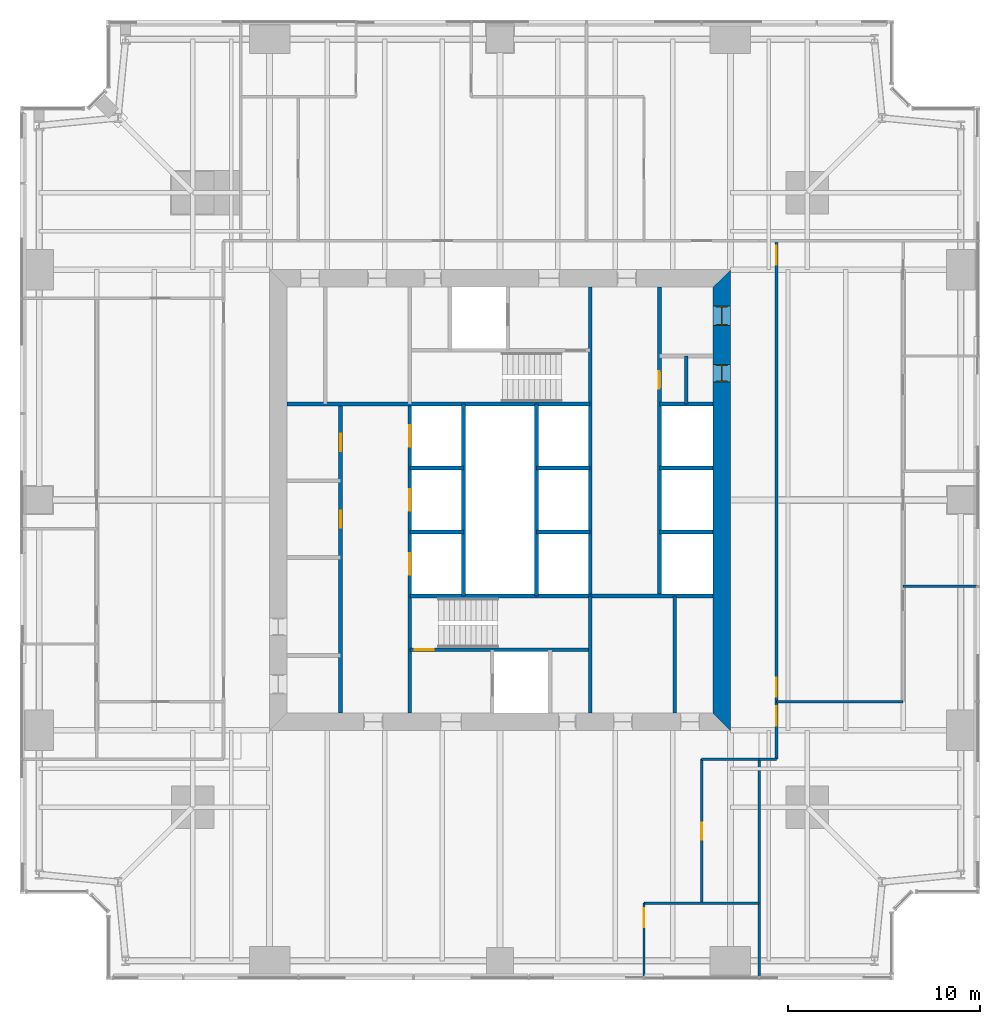
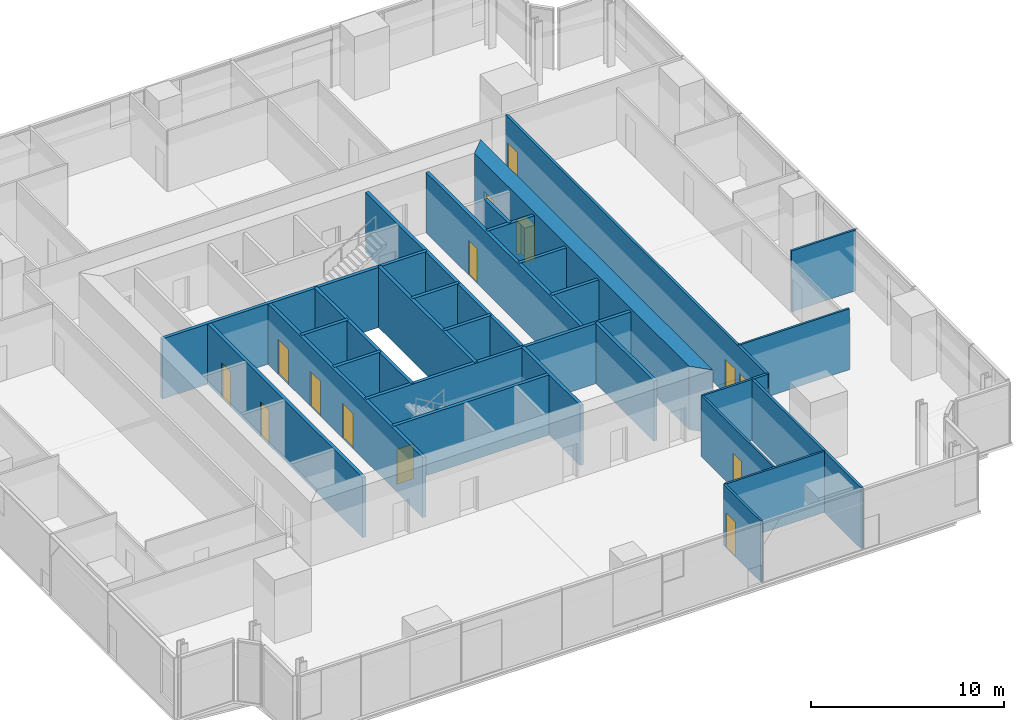
# One storey, part 10 of 14: 29 walls, 14 doors, 14 openings.
"""IFC4 building model written with IfcOpenShell, lengths in metres."""

from ifc_helpers import new_model, si_unit, direction, frame, frame_2d, origin, place, context, subcontext, project, spatial, polyline, rectangle, outline, extrude, material, layer, layer_set, type_object, element, fill, save


model = new_model("IFC4")

# Units and contexts
model_context = context("Model", 3, precision=1e-05, world=origin(), true_north=direction((0.0, 1.0)))
body_context = subcontext(model_context, "Body", "Model", "MODEL_VIEW")
ifc_project = project(units=[si_unit("LENGTHUNIT", "METRE"), si_unit("AREAUNIT", "SQUARE_METRE"), si_unit("VOLUMEUNIT", "CUBIC_METRE"), si_unit("PLANEANGLEUNIT", "RADIAN"), si_unit("MASSUNIT", "GRAM", prefix="KILO")], contexts=[model_context])

# Site, building, storey
site_placement = place(None, origin())
site = spatial("IfcSite", under=ifc_project, at=site_placement, CompositionType="ELEMENT")
building_placement = place(site_placement, origin())
building = spatial("IfcBuilding", under=site, at=building_placement, Name="Fenwick Lantern Interchange", CompositionType="ELEMENT")
storey_placement = place(building_placement, frame((0.0, 0.0, 118.39990234375)))
storey = spatial("IfcBuildingStorey", under=building, at=storey_placement, Name="L27", CompositionType="ELEMENT", Elevation=118.39990234375)

# Wall, openings, doors
ifc_material_1 = material(Name="Concrete masonry ASTM C90 Grade N", Category="masonry")
ifc_layer_1 = layer(ifc_material_1, 0.199951171875)
ifc_layer_set_1 = layer_set([ifc_layer_1], Name="Concrete masonry ASTM C90 Grade N")
wall_type_1 = type_object("IfcWallType", Name="CORE PARTITION 200", PredefinedType="PARTITIONING", material=ifc_layer_set_1)
wall_1_placement = place(storey_placement, frame((16.699951171875, 13.89990234375, 0.0), z_axis=(0.0, 0.0, 1.0), x_axis=(0.0, 1.0, 0.0)))
wall_1 = element("IfcWall", 1, at=wall_1_placement, inside=storey, type_object=wall_type_1, Name="L27/W/CORES/a", PredefinedType="PARTITIONING", context=body_context, shape_type="SweptSolid", body=[
    extrude(rectangle(XDim=16.10009765625, YDim=0.199951171875, at=frame_2d((8.050048828125, 0.0))), origin(), (0.0, 0.0, 1.0), 3.800048828125),
])
opening_1_placement = place(wall_1_placement, frame((9.64990234375, 0.0, 0.0)))
opening_1 = element("IfcOpeningElement", 2, at=opening_1_placement, cuts=wall_1, Name="Opening L27-D009", PredefinedType="OPENING", context=body_context, shape_type="SweptSolid", body=[
    extrude(rectangle(XDim=0.89990234375, YDim=2.199951171875, at=frame_2d((0.449951171875, 1.10009765625))), frame((0.0, 0.10986328125, 0.0), z_axis=(0.0, -1.0, 0.0), x_axis=(1.0, 0.0, 0.0)), (0.0, 0.0, 1.0), 0.219970703125),
])
opening_2_placement = place(wall_1_placement, frame((13.64990234375, 0.0, 0.0)))
opening_2 = element("IfcOpeningElement", 3, at=opening_2_placement, cuts=wall_1, Name="Opening L27-D010", PredefinedType="OPENING", context=body_context, shape_type="SweptSolid", body=[
    extrude(rectangle(XDim=0.89990234375, YDim=2.199951171875, at=frame_2d((0.449951171875, 1.10009765625))), frame((0.0, 0.10986328125, 0.0), z_axis=(0.0, -1.0, 0.0), x_axis=(1.0, 0.0, 0.0)), (0.0, 0.0, 1.0), 0.219970703125),
])
ifc_material_2 = material(Name="Steel door and frame", Category="steel")
door_type_1 = type_object("IfcDoorType", Name="SERVICE DOOR 900 X 2200", OperationType="SINGLE_SWING_LEFT", PredefinedType="DOOR", material=ifc_material_2)
door_1_placement = place(opening_1_placement, origin())
door_1 = element("IfcDoor", 4, at=door_1_placement, inside=storey, type_object=door_type_1, Name="Service door", OperationType="SINGLE_SWING_LEFT", OverallHeight=2.199951171875, OverallWidth=0.89990234375, PredefinedType="DOOR", context=body_context, shape_type="SweptSolid", body=[
    extrude(rectangle(XDim=0.89990234375, YDim=2.199951171875, at=frame_2d((0.449951171875, 1.10009765625))), frame((0.0, 0.02490234375, 0.0), z_axis=(0.0, -1.0, 0.0), x_axis=(1.0, 0.0, 0.0)), (0.0, 0.0, 1.0), 0.050048828125),
])
fill(opening_1, door_1)
door_2_placement = place(opening_2_placement, origin())
door_2 = element("IfcDoor", 5, at=door_2_placement, inside=storey, type_object=door_type_1, Name="Service door", OperationType="SINGLE_SWING_LEFT", OverallHeight=2.199951171875, OverallWidth=0.89990234375, PredefinedType="DOOR", context=body_context, shape_type="SweptSolid", body=[
    extrude(rectangle(XDim=0.89990234375, YDim=2.199951171875, at=frame_2d((0.449951171875, 1.10009765625))), frame((0.0, 0.02490234375, 0.0), z_axis=(0.0, -1.0, 0.0), x_axis=(1.0, 0.0, 0.0)), (0.0, 0.0, 1.0), 0.050048828125),
])
fill(opening_2, door_2)

# Walls
for number, where, z_axis, x_axis, name in (
    (6, (20.300048828125, 23.333251953125, 0.0), (0.0, 0.0, 1.0), (1.0, 0.0, 0.0), "L27/W/CORES/e1"),
    (7, (20.300048828125, 26.666748046875, 0.0), (0.0, 0.0, 1.0), (1.0, 0.0, 0.0), "L27/W/CORES/e2"),
):
    element("IfcWall", number, at=place(storey_placement, frame(where, z_axis=z_axis, x_axis=x_axis)), inside=storey, type_object=wall_type_1, Name=name, PredefinedType="PARTITIONING", context=body_context, shape_type="SweptSolid", body=[
        extrude(rectangle(XDim=2.800048828125, YDim=0.199951171875, at=frame_2d((1.39990234375, 0.0))), origin(), (0.0, 0.0, 1.0), 3.800048828125),
    ])
wall_2_placement = place(storey_placement, frame((23.10009765625, 20.0, 0.0), z_axis=(0.0, 0.0, 1.0), x_axis=(0.0, 1.0, 0.0)))
element("IfcWall", 8, at=wall_2_placement, inside=storey, type_object=wall_type_1, Name="L27/W/CORES/e3", PredefinedType="PARTITIONING", context=body_context, shape_type="SweptSolid", body=[
    extrude(rectangle(XDim=10.0, YDim=0.199951171875, at=frame_2d((5.0, 0.0))), origin(), (0.0, 0.0, 1.0), 3.800048828125),
])
wall_3_placement = place(storey_placement, frame((34.10009765625, 13.89990234375, 0.0), z_axis=(0.0, 0.0, 1.0), x_axis=(0.0, 1.0, 0.0)))
element("IfcWall", 9, at=wall_3_placement, inside=storey, type_object=wall_type_1, Name="L27/W/CORES/i2", PredefinedType="PARTITIONING", context=body_context, shape_type="SweptSolid", body=[
    extrude(rectangle(XDim=6.10009765625, YDim=0.199951171875, at=frame_2d((3.050048828125, 0.0))), origin(), (0.0, 0.0, 1.0), 3.800048828125),
])

# Wall, opening, door
wall_4_placement = place(storey_placement, frame((33.300048828125, 36.10009765625, 0.0), z_axis=(0.0, 0.0, 1.0), x_axis=(0.0, -1.0, 0.0)))
wall_4 = element("IfcWall", 10, at=wall_4_placement, inside=storey, type_object=wall_type_1, Name="L27/W/COREN/a", PredefinedType="PARTITIONING", context=body_context, shape_type="SweptSolid", body=[
    extrude(rectangle(XDim=16.10009765625, YDim=0.199951171875, at=frame_2d((8.050048828125, 0.0))), origin(), (0.0, 0.0, 1.0), 3.800048828125),
])
opening_3_placement = place(wall_4_placement, frame((4.39990234375, 0.0, 0.0)))
opening_3 = element("IfcOpeningElement", 11, at=opening_3_placement, cuts=wall_4, Name="Opening L27-D018", PredefinedType="OPENING", context=body_context, shape_type="SweptSolid", body=[
    extrude(rectangle(XDim=0.89990234375, YDim=2.199951171875, at=frame_2d((0.449951171875, 1.10009765625))), frame((0.0, 0.10986328125, 0.0), z_axis=(0.0, -1.0, 0.0), x_axis=(1.0, 0.0, 0.0)), (0.0, 0.0, 1.0), 0.219970703125),
])
door_3_placement = place(opening_3_placement, origin())
door_3 = element("IfcDoor", 12, at=door_3_placement, inside=storey, type_object=door_type_1, Name="Service door", OperationType="SINGLE_SWING_LEFT", OverallHeight=2.199951171875, OverallWidth=0.89990234375, PredefinedType="DOOR", context=body_context, shape_type="SweptSolid", body=[
    extrude(rectangle(XDim=0.89990234375, YDim=2.199951171875, at=frame_2d((0.449951171875, 1.10009765625))), frame((0.0, 0.02490234375, 0.0), z_axis=(0.0, -1.0, 0.0), x_axis=(1.0, 0.0, 0.0)), (0.0, 0.0, 1.0), 0.050048828125),
])
fill(opening_3, door_3)

# Walls
for number, where, z_axis, x_axis, name in (
    (13, (36.10009765625, 30.0, 0.0), (0.0, 0.0, 1.0), (-1.0, 0.0, 0.0), "L27/W/COREN/c2"),
    (14, (36.10009765625, 26.666748046875, 0.0), (0.0, 0.0, 1.0), (-1.0, 0.0, 0.0), "L27/W/COREN/d1"),
    (15, (36.10009765625, 23.333251953125, 0.0), (0.0, 0.0, 1.0), (-1.0, 0.0, 0.0), "L27/W/COREN/d2"),
    (16, (29.699951171875, 26.666748046875, 0.0), (0.0, 0.0, 1.0), (-1.0, 0.0, 0.0), "L27/W/COREN/e1"),
    (17, (29.699951171875, 23.333251953125, 0.0), (0.0, 0.0, 1.0), (-1.0, 0.0, 0.0), "L27/W/COREN/e2"),
):
    element("IfcWall", number, at=place(storey_placement, frame(where, z_axis=z_axis, x_axis=x_axis)), inside=storey, type_object=wall_type_1, Name=name, PredefinedType="PARTITIONING", context=body_context, shape_type="SweptSolid", body=[
        extrude(rectangle(XDim=2.800048828125, YDim=0.199951171875, at=frame_2d((1.39990234375, 0.0))), origin(), (0.0, 0.0, 1.0), 3.800048828125),
    ])
wall_5_placement = place(storey_placement, frame((26.89990234375, 30.0, 0.0), z_axis=(0.0, 0.0, 1.0), x_axis=(0.0, -1.0, 0.0)))
element("IfcWall", 18, at=wall_5_placement, inside=storey, type_object=wall_type_1, Name="L27/W/COREN/e3", PredefinedType="PARTITIONING", context=body_context, shape_type="SweptSolid", body=[
    extrude(rectangle(XDim=10.0, YDim=0.199951171875, at=frame_2d((5.0, 0.0))), origin(), (0.0, 0.0, 1.0), 3.800048828125),
])
wall_6_placement = place(storey_placement, frame((34.699951171875, 32.5, 0.0), z_axis=(0.0, 0.0, 1.0), x_axis=(0.0, -1.0, 0.0)))
element("IfcWall", 19, at=wall_6_placement, inside=storey, type_object=wall_type_1, Name="L27/W/COREN/px", PredefinedType="PARTITIONING", context=body_context, shape_type="SweptSolid", body=[
    extrude(rectangle(XDim=2.5, YDim=0.199951171875, at=frame_2d((1.25, 0.0))), origin(), (0.0, 0.0, 1.0), 3.800048828125),
])

# Wall, openings, doors
ifc_material_3 = material(Name="Concrete f'c 70 MPa", Category="concrete")
ifc_layer_2 = layer(ifc_material_3, 0.89990234375)
ifc_layer_set_2 = layer_set([ifc_layer_2], Name="CORE WALL 900")
wall_type_2 = type_object("IfcWallType", Name="CORE WALL 900", PredefinedType="SHEAR", material=ifc_layer_set_2)
wall_7_placement = place(storey_placement, frame((36.550048828125, 13.89990234375, 0.0), z_axis=(0.0, 0.0, 1.0), x_axis=(0.0, 1.0, 0.0)))
wall_7 = element("IfcWall", 20, at=wall_7_placement, inside=storey, type_object=wall_type_2, Name="L27/CORE/E", PredefinedType="SHEAR", context=body_context, shape_type="SweptSolid", body=[
    extrude(outline(polyline([(-0.89990234375, -0.449951171875), (23.10009765625, -0.449951171875), (22.199951171875, 0.449951171875), (0.0, 0.449951171875), (-0.89990234375, -0.449951171875)])), origin(), (0.0, 0.0, 1.0), 4.0),
])
opening_4_placement = place(wall_7_placement, frame((20.199951171875, 0.0, 0.0)))
opening_4 = element("IfcOpeningElement", 21, at=opening_4_placement, cuts=wall_7, Name="Opening L27-D017", PredefinedType="OPENING", context=body_context, shape_type="SweptSolid", body=[
    extrude(rectangle(XDim=1.0, YDim=2.199951171875, at=frame_2d((0.5, 1.10009765625))), frame((0.0, 0.4599609375, 0.0), z_axis=(0.0, -1.0, 0.0), x_axis=(1.0, 0.0, 0.0)), (0.0, 0.0, 1.0), 0.919921875),
])
opening_5_placement = place(wall_7_placement, frame((17.25, 0.0, 0.0)))
opening_5 = element("IfcOpeningElement", 22, at=opening_5_placement, cuts=wall_7, Name="Opening L27-D019", PredefinedType="OPENING", context=body_context, shape_type="SweptSolid", body=[
    extrude(rectangle(XDim=0.89990234375, YDim=2.199951171875, at=frame_2d((0.449951171875, 1.10009765625))), frame((0.0, 0.4599609375, 0.0), z_axis=(0.0, -1.0, 0.0), x_axis=(1.0, 0.0, 0.0)), (0.0, 0.0, 1.0), 0.919921875),
])
door_4_placement = place(opening_5_placement, origin())
door_4 = element("IfcDoor", 23, at=door_4_placement, inside=storey, type_object=door_type_1, Name="Service door", OperationType="SINGLE_SWING_RIGHT", OverallHeight=2.199951171875, OverallWidth=0.89990234375, PredefinedType="DOOR", context=body_context, shape_type="SweptSolid", body=[
    extrude(rectangle(XDim=0.89990234375, YDim=2.199951171875, at=frame_2d((0.449951171875, 1.10009765625))), frame((0.0, 0.02490234375, 0.0), z_axis=(0.0, -1.0, 0.0), x_axis=(1.0, 0.0, 0.0)), (0.0, 0.0, 1.0), 0.050048828125),
    extrude(outline(polyline([(0.0, 0.0), (0.0400390625, 0.0), (0.0400390625, 2.159912109375), (0.85986328125, 2.159912109375), (0.85986328125, 0.0), (0.89990234375, 0.0), (0.89990234375, 2.199951171875), (0.0, 2.199951171875), (0.0, 0.0)])), frame((0.0, 0.300048828125, 0.0), z_axis=(0.0, -1.0, 0.0), x_axis=(1.0, 0.0, 0.0)), (0.0, 0.0, 1.0), 0.60009765625),
])
fill(opening_5, door_4)
ifc_material_4 = material(Name="Hardwood door and steel frame", Category="steel")
door_type_2 = type_object("IfcDoorType", Name="WC DOOR 1000 X 2200", OperationType="SINGLE_SWING_LEFT", PredefinedType="DOOR", material=ifc_material_4)
door_5_placement = place(opening_4_placement, origin())
door_5 = element("IfcDoor", 24, at=door_5_placement, inside=storey, type_object=door_type_2, Name="Wc door", OperationType="SINGLE_SWING_RIGHT", OverallHeight=2.199951171875, OverallWidth=1.0, PredefinedType="DOOR", context=body_context, shape_type="SweptSolid", body=[
    extrude(rectangle(XDim=1.0, YDim=2.199951171875, at=frame_2d((0.5, 1.10009765625))), frame((0.0, 0.02490234375, 0.0), z_axis=(0.0, -1.0, 0.0), x_axis=(1.0, 0.0, 0.0)), (0.0, 0.0, 1.0), 0.050048828125),
    extrude(outline(polyline([(0.0, 0.0), (0.0400390625, 0.0), (0.0400390625, 2.159912109375), (0.9599609375, 2.159912109375), (0.9599609375, 0.0), (1.0, 0.0), (1.0, 2.199951171875), (0.0, 2.199951171875), (0.0, 0.0)])), frame((0.0, 0.300048828125, 0.0), z_axis=(0.0, -1.0, 0.0), x_axis=(1.0, 0.0, 0.0)), (0.0, 0.0, 1.0), 0.60009765625),
])
fill(opening_4, door_5)

# Wall
ifc_material_5 = material(Name="Gypsum board on steel studs, 1 hour", Category="steel")
ifc_layer_3 = layer(ifc_material_5, 0.14990234375)
ifc_layer_set_3 = layer_set([ifc_layer_3], Name="CORRIDOR WALL 150")
wall_type_3 = type_object("IfcWallType", Name="CORRIDOR WALL 150", PredefinedType="PARTITIONING", material=ifc_layer_set_3)
wall_8_placement = place(storey_placement, frame((38.5, 11.5, 0.0), z_axis=(0.0, 0.0, 1.0), x_axis=(1.0, 0.0, 0.0)))
element("IfcWall", 25, at=wall_8_placement, inside=storey, type_object=wall_type_3, Name="L27/W/OFF/E/CWJ", PredefinedType="PARTITIONING", context=body_context, shape_type="SweptSolid", body=[
    extrude(rectangle(XDim=0.89990234375, YDim=0.14990234375, at=frame_2d((0.449951171875, 0.0))), origin(), (0.0, 0.0, 1.0), 3.85009765625),
])

# Wall, openings, doors
wall_9_placement = place(storey_placement, frame((39.39990234375, 11.5, 0.0), z_axis=(0.0, 0.0, 1.0), x_axis=(0.0, 1.0, 0.0)))
wall_9 = element("IfcWall", 26, at=wall_9_placement, inside=storey, type_object=wall_type_3, Name="L27/W/OFF/E/CW2", PredefinedType="PARTITIONING", context=body_context, shape_type="SweptSolid", body=[
    extrude(rectangle(XDim=27.0, YDim=0.14990234375, at=frame_2d((13.5, 0.0))), origin(), (0.0, 0.0, 1.0), 3.85009765625),
])
opening_6_placement = place(wall_9_placement, frame((3.25, 0.0, 0.0)))
opening_6 = element("IfcOpeningElement", 27, at=opening_6_placement, cuts=wall_9, Name="Opening L27-D022", PredefinedType="OPENING", context=body_context, shape_type="SweptSolid", body=[
    extrude(rectangle(XDim=1.0, YDim=2.199951171875, at=frame_2d((0.5, 1.10009765625))), frame((0.0, 0.0849609375, 0.0), z_axis=(0.0, -1.0, 0.0), x_axis=(1.0, 0.0, 0.0)), (0.0, 0.0, 1.0), 0.169921875),
])
opening_7_placement = place(wall_9_placement, frame((25.75, 0.0, 0.0)))
opening_7 = element("IfcOpeningElement", 28, at=opening_7_placement, cuts=wall_9, Name="Opening L27-D023", PredefinedType="OPENING", context=body_context, shape_type="SweptSolid", body=[
    extrude(rectangle(XDim=1.0, YDim=2.199951171875, at=frame_2d((0.5, 1.10009765625))), frame((0.0, 0.0849609375, 0.0), z_axis=(0.0, -1.0, 0.0), x_axis=(1.0, 0.0, 0.0)), (0.0, 0.0, 1.0), 0.169921875),
])
opening_8_placement = place(wall_9_placement, frame((1.75, 0.0, 0.0)))
opening_8 = element("IfcOpeningElement", 29, at=opening_8_placement, cuts=wall_9, Name="Opening L27-D025", PredefinedType="OPENING", context=body_context, shape_type="SweptSolid", body=[
    extrude(rectangle(XDim=1.0, YDim=2.199951171875, at=frame_2d((0.5, 1.10009765625))), frame((0.0, 0.0849609375, 0.0), z_axis=(0.0, -1.0, 0.0), x_axis=(1.0, 0.0, 0.0)), (0.0, 0.0, 1.0), 0.169921875),
])
door_type_3 = type_object("IfcDoorType", Name="MEETING ROOM DOOR 1000 X 2200", OperationType="SINGLE_SWING_LEFT", PredefinedType="DOOR", material=ifc_material_4)
door_6_placement = place(opening_8_placement, origin())
door_6 = element("IfcDoor", 30, at=door_6_placement, inside=storey, type_object=door_type_3, Name="Meeting room door", OperationType="SINGLE_SWING_LEFT", OverallHeight=2.199951171875, OverallWidth=1.0, PredefinedType="DOOR", context=body_context, shape_type="SweptSolid", body=[
    extrude(rectangle(XDim=1.0, YDim=2.199951171875, at=frame_2d((0.5, 1.10009765625))), frame((0.0, 0.02490234375, 0.0), z_axis=(0.0, -1.0, 0.0), x_axis=(1.0, 0.0, 0.0)), (0.0, 0.0, 1.0), 0.050048828125),
])
fill(opening_8, door_6)
door_type_4 = type_object("IfcDoorType", Name="SUITE ENTRANCE DOOR 1000 X 2200", OperationType="SINGLE_SWING_LEFT", PredefinedType="DOOR", material=ifc_material_2)
door_7_placement = place(opening_6_placement, origin())
door_7 = element("IfcDoor", 31, at=door_7_placement, inside=storey, type_object=door_type_4, Name="Suite entrance door", OperationType="SINGLE_SWING_LEFT", OverallHeight=2.199951171875, OverallWidth=1.0, PredefinedType="DOOR", context=body_context, shape_type="SweptSolid", body=[
    extrude(rectangle(XDim=1.0, YDim=2.199951171875, at=frame_2d((0.5, 1.10009765625))), frame((0.0, 0.02490234375, 0.0), z_axis=(0.0, -1.0, 0.0), x_axis=(1.0, 0.0, 0.0)), (0.0, 0.0, 1.0), 0.050048828125),
])
fill(opening_6, door_7)
door_8_placement = place(opening_7_placement, origin())
door_8 = element("IfcDoor", 32, at=door_8_placement, inside=storey, type_object=door_type_4, Name="Suite entrance door", OperationType="SINGLE_SWING_RIGHT", OverallHeight=2.199951171875, OverallWidth=1.0, PredefinedType="DOOR", context=body_context, shape_type="SweptSolid", body=[
    extrude(rectangle(XDim=1.0, YDim=2.199951171875, at=frame_2d((0.5, 1.10009765625))), frame((0.0, 0.02490234375, 0.0), z_axis=(0.0, -1.0, 0.0), x_axis=(1.0, 0.0, 0.0)), (0.0, 0.0, 1.0), 0.050048828125),
])
fill(opening_7, door_8)

# Wall, opening, door
ifc_material_6 = material(Name="Gypsum board on steel studs, acoustic", Category="steel")
ifc_layer_4 = layer(ifc_material_6, 0.125)
ifc_layer_set_4 = layer_set([ifc_layer_4], Name="OFFICE PARTITION 125")
wall_type_4 = type_object("IfcWallType", Name="OFFICE PARTITION 125", PredefinedType="PARTITIONING", material=ifc_layer_set_4)
wall_10_placement = place(storey_placement, frame((32.5, 0.14990234375, 0.0), z_axis=(0.0, 0.0, 1.0), x_axis=(0.0, 1.0, 0.0)))
wall_10 = element("IfcWall", 33, at=wall_10_placement, inside=storey, type_object=wall_type_4, Name="L27/W/OFF/S/X325-1", PredefinedType="PARTITIONING", context=body_context, shape_type="SweptSolid", body=[
    extrude(rectangle(XDim=3.85009765625, YDim=0.125, at=frame_2d((1.925048828125, 0.0))), origin(), (0.0, 0.0, 1.0), 3.85009765625),
])
opening_9_placement = place(wall_10_placement, frame((2.60009765625, 0.0, 0.0)))
opening_9 = element("IfcOpeningElement", 34, at=opening_9_placement, cuts=wall_10, Name="Opening L27-D020", PredefinedType="OPENING", context=body_context, shape_type="SweptSolid", body=[
    extrude(rectangle(XDim=1.0, YDim=2.199951171875, at=frame_2d((0.5, 1.10009765625))), frame((0.0, 0.072509765625, 0.0), z_axis=(0.0, -1.0, 0.0), x_axis=(1.0, 0.0, 0.0)), (0.0, 0.0, 1.0), 0.14501953125),
])
door_9_placement = place(opening_9_placement, frame((1.0, 0.0, 0.0), z_axis=(0.0, 0.0, 1.0), x_axis=(-1.0, 0.0, 0.0)))
door_9 = element("IfcDoor", 35, at=door_9_placement, inside=storey, type_object=door_type_3, Name="Meeting room door", OperationType="SINGLE_SWING_LEFT", OverallHeight=2.199951171875, OverallWidth=1.0, PredefinedType="DOOR", context=body_context, shape_type="SweptSolid", body=[
    extrude(rectangle(XDim=1.0, YDim=2.199951171875, at=frame_2d((0.5, 1.10009765625))), frame((0.0, 0.02490234375, 0.0), z_axis=(0.0, -1.0, 0.0), x_axis=(1.0, 0.0, 0.0)), (0.0, 0.0, 1.0), 0.050048828125),
])
fill(opening_9, door_9)

wall_11_placement = place(storey_placement, frame((35.5, 4.0, 0.0), z_axis=(0.0, 0.0, 1.0), x_axis=(0.0, 1.0, 0.0)))
wall_11 = element("IfcWall", 36, at=wall_11_placement, inside=storey, type_object=wall_type_4, Name="L27/W/OFF/S/X355-1", PredefinedType="PARTITIONING", context=body_context, shape_type="SweptSolid", body=[
    extrude(rectangle(XDim=7.5, YDim=0.125, at=frame_2d((3.75, 0.0))), origin(), (0.0, 0.0, 1.0), 3.85009765625),
])
opening_10_placement = place(wall_11_placement, frame((3.300048828125, 0.0, 0.0)))
opening_10 = element("IfcOpeningElement", 37, at=opening_10_placement, cuts=wall_11, Name="Opening L27-D021", PredefinedType="OPENING", context=body_context, shape_type="SweptSolid", body=[
    extrude(rectangle(XDim=0.89990234375, YDim=2.199951171875, at=frame_2d((0.449951171875, 1.10009765625))), frame((0.0, 0.072509765625, 0.0), z_axis=(0.0, -1.0, 0.0), x_axis=(1.0, 0.0, 0.0)), (0.0, 0.0, 1.0), 0.14501953125),
])
door_type_5 = type_object("IfcDoorType", Name="OFFICE DOOR 900 X 2200", OperationType="SINGLE_SWING_LEFT", PredefinedType="DOOR", material=ifc_material_4)
door_10_placement = place(opening_10_placement, frame((0.89990234375, 0.0, 0.0), z_axis=(0.0, 0.0, 1.0), x_axis=(-1.0, 0.0, 0.0)))
door_10 = element("IfcDoor", 38, at=door_10_placement, inside=storey, type_object=door_type_5, Name="Office door", OperationType="SINGLE_SWING_RIGHT", OverallHeight=2.199951171875, OverallWidth=0.89990234375, PredefinedType="DOOR", context=body_context, shape_type="SweptSolid", body=[
    extrude(rectangle(XDim=0.89990234375, YDim=2.199951171875, at=frame_2d((0.449951171875, 1.10009765625))), frame((0.0, 0.02490234375, 0.0), z_axis=(0.0, -1.0, 0.0), x_axis=(1.0, 0.0, 0.0)), (0.0, 0.0, 1.0), 0.050048828125),
])
fill(opening_10, door_10)

# Walls
wall_12_placement = place(storey_placement, frame((32.5, 4.0, 0.0), z_axis=(0.0, 0.0, 1.0), x_axis=(1.0, 0.0, 0.0)))
element("IfcWall", 39, at=wall_12_placement, inside=storey, type_object=wall_type_4, Name="L27/W/OFF/S/Y40-1", PredefinedType="PARTITIONING", context=body_context, shape_type="SweptSolid", body=[
    extrude(rectangle(XDim=6.0, YDim=0.125, at=frame_2d((3.0, 0.0))), origin(), (0.0, 0.0, 1.0), 3.85009765625),
])
wall_13_placement = place(storey_placement, frame((35.5, 11.5, 0.0), z_axis=(0.0, 0.0, 1.0), x_axis=(1.0, 0.0, 0.0)))
element("IfcWall", 40, at=wall_13_placement, inside=storey, type_object=wall_type_4, Name="L27/W/OFF/S/CWS1", PredefinedType="PARTITIONING", context=body_context, shape_type="SweptSolid", body=[
    extrude(rectangle(XDim=3.0, YDim=0.125, at=frame_2d((1.5, 0.0))), origin(), (0.0, 0.0, 1.0), 3.85009765625),
])
wall_14_placement = place(storey_placement, frame((46.0, 14.5, 0.0), z_axis=(0.0, 0.0, 1.0), x_axis=(-1.0, 0.0, 0.0)))
element("IfcWall", 41, at=wall_14_placement, inside=storey, type_object=wall_type_4, Name="L27/W/OFF/E/X145-1", PredefinedType="PARTITIONING", context=body_context, shape_type="SweptSolid", body=[
    extrude(rectangle(XDim=6.60009765625, YDim=0.125, at=frame_2d((3.300048828125, 0.0))), origin(), (0.0, 0.0, 1.0), 3.85009765625),
])
wall_15_placement = place(storey_placement, frame((49.85009765625, 20.5, 0.0), z_axis=(0.0, 0.0, 1.0), x_axis=(-1.0, 0.0, 0.0)))
element("IfcWall", 42, at=wall_15_placement, inside=storey, type_object=wall_type_4, Name="L27/W/OFF/E/X205-1", PredefinedType="PARTITIONING", context=body_context, shape_type="SweptSolid", body=[
    extrude(rectangle(XDim=3.85009765625, YDim=0.125, at=frame_2d((1.925048828125, 0.0))), origin(), (0.0, 0.0, 1.0), 3.85009765625),
])

# Wall, openings, doors
ifc_material_7 = material(Name="Concrete f'c 45 MPa", Category="concrete")
ifc_layer_5 = layer(ifc_material_7, 0.199951171875)
ifc_layer_set_5 = layer_set([ifc_layer_5], Name="STAIR CORE WALL 200")
wall_type_5 = type_object("IfcWallType", Name="STAIR CORE WALL 200", PredefinedType="SOLIDWALL", material=ifc_layer_set_5)
wall_16_placement = place(storey_placement, frame((20.300048828125, 13.89990234375, 0.0), z_axis=(0.0, 0.0, 1.0), x_axis=(0.0, 1.0, 0.0)))
wall_16 = element("IfcWall", 43, at=wall_16_placement, inside=storey, type_object=wall_type_5, Name="L27/W/CORES/b", PredefinedType="SOLIDWALL", context=body_context, shape_type="SweptSolid", body=[
    extrude(rectangle(XDim=16.10009765625, YDim=0.199951171875, at=frame_2d((8.050048828125, 0.0))), origin(), (0.0, 0.0, 1.0), 3.800048828125),
])
opening_11_placement = place(wall_16_placement, frame((7.216552734375, 0.0, 0.0)))
opening_11 = element("IfcOpeningElement", 44, at=opening_11_placement, cuts=wall_16, Name="Opening LD-W2-1", PredefinedType="OPENING", context=body_context, shape_type="SweptSolid", body=[
    extrude(rectangle(XDim=1.10009765625, YDim=2.199951171875, at=frame_2d((0.550048828125, 1.10009765625))), frame((0.0, 0.10986328125, 0.0), z_axis=(0.0, -1.0, 0.0), x_axis=(1.0, 0.0, 0.0)), (0.0, 0.0, 1.0), 0.219970703125),
])
opening_12_placement = place(wall_16_placement, frame((10.550048828125, 0.0, 0.0)))
opening_12 = element("IfcOpeningElement", 45, at=opening_12_placement, cuts=wall_16, Name="Opening LD-W2-2", PredefinedType="OPENING", context=body_context, shape_type="SweptSolid", body=[
    extrude(rectangle(XDim=1.10009765625, YDim=2.199951171875, at=frame_2d((0.550048828125, 1.10009765625))), frame((0.0, 0.10986328125, 0.0), z_axis=(0.0, -1.0, 0.0), x_axis=(1.0, 0.0, 0.0)), (0.0, 0.0, 1.0), 0.219970703125),
])
opening_13_placement = place(wall_16_placement, frame((13.88330078125, 0.0, 0.0)))
opening_13 = element("IfcOpeningElement", 46, at=opening_13_placement, cuts=wall_16, Name="Opening LD-W2-3", PredefinedType="OPENING", context=body_context, shape_type="SweptSolid", body=[
    extrude(rectangle(XDim=1.10009765625, YDim=2.199951171875, at=frame_2d((0.550048828125, 1.10009765625))), frame((0.0, 0.10986328125, 0.0), z_axis=(0.0, -1.0, 0.0), x_axis=(1.0, 0.0, 0.0)), (0.0, 0.0, 1.0), 0.219970703125),
])
door_type_6 = type_object("IfcDoorType", Name="LIFT LANDING DOOR 1100 X 2200", OperationType="DOUBLE_DOOR_SLIDING", PredefinedType="DOOR", material=ifc_material_2)
door_11_placement = place(opening_11_placement, origin())
door_11 = element("IfcDoor", 47, at=door_11_placement, inside=storey, type_object=door_type_6, Name="Lift landing door W2-1", OperationType="DOUBLE_DOOR_SLIDING", OverallHeight=2.199951171875, OverallWidth=1.10009765625, PredefinedType="DOOR", context=body_context, shape_type="SweptSolid", body=[
    extrude(rectangle(XDim=1.10009765625, YDim=2.199951171875, at=frame_2d((0.550048828125, 1.10009765625))), frame((0.0, 0.02490234375, 0.0), z_axis=(0.0, -1.0, 0.0), x_axis=(1.0, 0.0, 0.0)), (0.0, 0.0, 1.0), 0.050048828125),
])
fill(opening_11, door_11)
door_12_placement = place(opening_12_placement, origin())
door_12 = element("IfcDoor", 48, at=door_12_placement, inside=storey, type_object=door_type_6, Name="Lift landing door W2-2", OperationType="DOUBLE_DOOR_SLIDING", OverallHeight=2.199951171875, OverallWidth=1.10009765625, PredefinedType="DOOR", context=body_context, shape_type="SweptSolid", body=[
    extrude(rectangle(XDim=1.10009765625, YDim=2.199951171875, at=frame_2d((0.550048828125, 1.10009765625))), frame((0.0, 0.02490234375, 0.0), z_axis=(0.0, -1.0, 0.0), x_axis=(1.0, 0.0, 0.0)), (0.0, 0.0, 1.0), 0.050048828125),
])
fill(opening_12, door_12)
door_13_placement = place(opening_13_placement, origin())
door_13 = element("IfcDoor", 49, at=door_13_placement, inside=storey, type_object=door_type_6, Name="Lift landing door W2-3", OperationType="DOUBLE_DOOR_SLIDING", OverallHeight=2.199951171875, OverallWidth=1.10009765625, PredefinedType="DOOR", context=body_context, shape_type="SweptSolid", body=[
    extrude(rectangle(XDim=1.10009765625, YDim=2.199951171875, at=frame_2d((0.550048828125, 1.10009765625))), frame((0.0, 0.02490234375, 0.0), z_axis=(0.0, -1.0, 0.0), x_axis=(1.0, 0.0, 0.0)), (0.0, 0.0, 1.0), 0.050048828125),
])
fill(opening_13, door_13)

# Wall, opening, door
wall_17_placement = place(storey_placement, frame((20.300048828125, 17.199951171875, 0.0), z_axis=(0.0, 0.0, 1.0), x_axis=(1.0, 0.0, 0.0)))
wall_17 = element("IfcWall", 50, at=wall_17_placement, inside=storey, type_object=wall_type_5, Name="L27/W/CORES/g1", PredefinedType="SOLIDWALL", context=body_context, shape_type="SweptSolid", body=[
    extrude(rectangle(XDim=9.39990234375, YDim=0.199951171875, at=frame_2d((4.699951171875, 0.0))), origin(), (0.0, 0.0, 1.0), 3.800048828125),
])
opening_14_placement = place(wall_17_placement, frame((0.25, 0.0, 0.0)))
opening_14 = element("IfcOpeningElement", 51, at=opening_14_placement, cuts=wall_17, Name="Opening L27-D003", PredefinedType="OPENING", context=body_context, shape_type="SweptSolid", body=[
    extrude(rectangle(XDim=1.0, YDim=2.199951171875, at=frame_2d((0.5, 1.10009765625))), frame((0.0, 0.10986328125, 0.0), z_axis=(0.0, -1.0, 0.0), x_axis=(1.0, 0.0, 0.0)), (0.0, 0.0, 1.0), 0.219970703125),
])
door_type_7 = type_object("IfcDoorType", Name="STAIR DOOR 1000 X 2200", OperationType="SINGLE_SWING_LEFT", PredefinedType="DOOR", material=ifc_material_2)
door_14_placement = place(opening_14_placement, origin())
door_14 = element("IfcDoor", 52, at=door_14_placement, inside=storey, type_object=door_type_7, Name="Stair door", OperationType="SINGLE_SWING_LEFT", OverallHeight=2.199951171875, OverallWidth=1.0, PredefinedType="DOOR", context=body_context, shape_type="SweptSolid", body=[
    extrude(rectangle(XDim=1.0, YDim=2.199951171875, at=frame_2d((0.5, 1.10009765625))), frame((0.0, 0.02490234375, 0.0), z_axis=(0.0, -1.0, 0.0), x_axis=(1.0, 0.0, 0.0)), (0.0, 0.0, 1.0), 0.050048828125),
])
fill(opening_14, door_14)

# Walls
wall_18_placement = place(storey_placement, frame((20.300048828125, 20.0, 0.0), z_axis=(0.0, 0.0, 1.0), x_axis=(1.0, 0.0, 0.0)))
element("IfcWall", 53, at=wall_18_placement, inside=storey, type_object=wall_type_5, Name="L27/W/CORES/g2", PredefinedType="SOLIDWALL", context=body_context, shape_type="SweptSolid", body=[
    extrude(rectangle(XDim=15.800048828125, YDim=0.199951171875, at=frame_2d((7.89990234375, 0.0))), origin(), (0.0, 0.0, 1.0), 3.800048828125),
])
wall_19_placement = place(storey_placement, frame((29.699951171875, 13.89990234375, 0.0), z_axis=(0.0, 0.0, 1.0), x_axis=(0.0, 1.0, 0.0)))
element("IfcWall", 54, at=wall_19_placement, inside=storey, type_object=wall_type_5, Name="L27/W/CORES/i1", PredefinedType="SOLIDWALL", context=body_context, shape_type="SweptSolid", body=[
    extrude(rectangle(XDim=6.10009765625, YDim=0.199951171875, at=frame_2d((3.050048828125, 0.0))), origin(), (0.0, 0.0, 1.0), 3.800048828125),
])
wall_20_placement = place(storey_placement, frame((29.699951171875, 36.10009765625, 0.0), z_axis=(0.0, 0.0, 1.0), x_axis=(0.0, -1.0, 0.0)))
element("IfcWall", 55, at=wall_20_placement, inside=storey, type_object=wall_type_5, Name="L27/W/COREN/b", PredefinedType="SOLIDWALL", context=body_context, shape_type="SweptSolid", body=[
    extrude(rectangle(XDim=16.10009765625, YDim=0.199951171875, at=frame_2d((8.050048828125, 0.0))), origin(), (0.0, 0.0, 1.0), 3.800048828125),
])
wall_21_placement = place(storey_placement, frame((29.699951171875, 30.0, 0.0), z_axis=(0.0, 0.0, 1.0), x_axis=(-1.0, 0.0, 0.0)))
element("IfcWall", 56, at=wall_21_placement, inside=storey, type_object=wall_type_5, Name="L27/W/COREN/g2", PredefinedType="SOLIDWALL", context=body_context, shape_type="SweptSolid", body=[
    extrude(rectangle(XDim=15.800048828125, YDim=0.199951171875, at=frame_2d((7.89990234375, 0.0))), origin(), (0.0, 0.0, 1.0), 3.800048828125),
])
ifc_material_8 = material(Name="Gypsum board on steel studs, 1 hour acoustic", Category="steel")
ifc_layer_6 = layer(ifc_material_8, 0.14990234375)
ifc_layer_set_6 = layer_set([ifc_layer_6], Name="TENANT WALL 150")
wall_type_6 = type_object("IfcWallType", Name="TENANT WALL 150", PredefinedType="PARTITIONING", material=ifc_layer_set_6)
wall_22_placement = place(storey_placement, frame((38.5, 0.14990234375, 0.0), z_axis=(0.0, 0.0, 1.0), x_axis=(0.0, 1.0, 0.0)))
element("IfcWall", 57, at=wall_22_placement, inside=storey, type_object=wall_type_6, Name="L27/W/OFF/E/BACK", PredefinedType="PARTITIONING", context=body_context, shape_type="SweptSolid", body=[
    extrude(rectangle(XDim=11.35009765625, YDim=0.14990234375, at=frame_2d((5.675048828125, 0.0))), origin(), (0.0, 0.0, 1.0), 3.85009765625),
])

save(model, "model.ifc")
